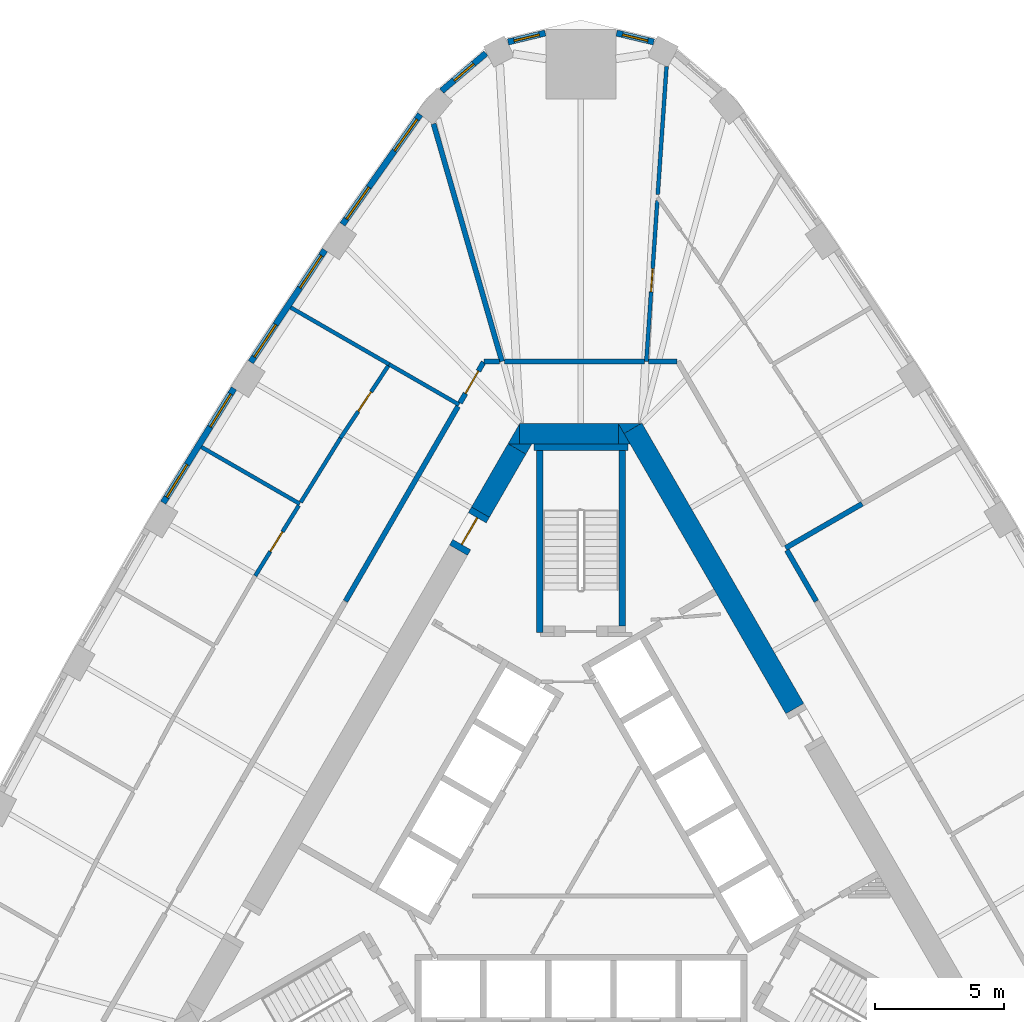
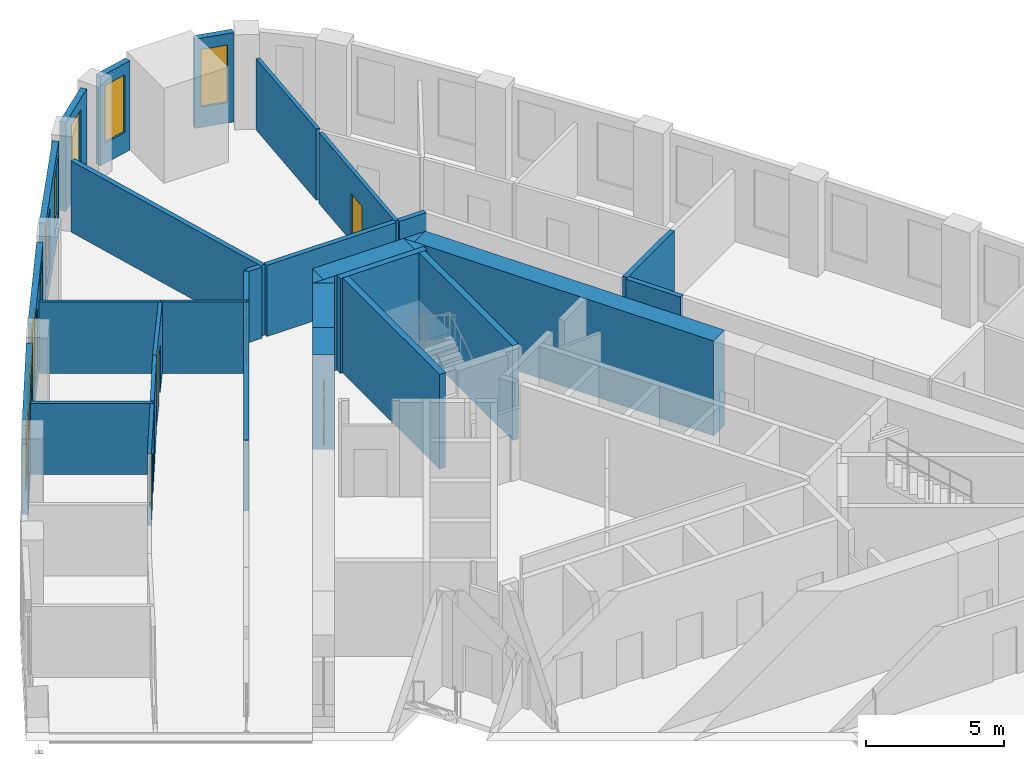
# One storey, part 9 of 11: 33 walls, 9 windows, 5 doors, 14 openings.
"""IFC4 building model written with IfcOpenShell, lengths in metres."""

import ifcopenshell
import ifcopenshell.guid

model = None  # the IFC model being written
_history = None  # IfcOwnerHistory: only IFC2X3 demands one
_inside = {}  # id of a spatial element -> (the spatial element, [elements in it])
_under = {}  # id of a project, library or spatial element -> (it, [spatial elements below it])
_declared = {}  # id of a project -> (the project, [libraries it declares])
_typed = {}  # id of a type object -> (the type object, [elements of that type])
_made_of = {}  # id of a material, layer set ... -> (it, [elements and type objects made of it])


def new_model(schema):
    """Start an empty IFC model of exactly this schema.

    Asked for "IFC4X3", IfcOpenShell would pick the latest addendum, in which some entities
    have other attributes; the version numbers below select the first issue.
    IFC2X3 requires an IfcOwnerHistory on every rooted entity: one is made here for all.
    """
    global model, _history
    if schema == "IFC4X3":
        model = ifcopenshell.file(schema_version=(4, 3, 0, 0))
    else:
        model = ifcopenshell.file(schema=schema)
    _inside.clear()
    _under.clear()
    _declared.clear()
    _typed.clear()
    _made_of.clear()
    _history = None
    if model.schema == "IFC2X3":
        org = make("IfcOrganization", Name="unknown")
        user = make(
            "IfcPersonAndOrganization",
            ThePerson=make("IfcPerson", FamilyName="unknown"),
            TheOrganization=org,
        )
        app = make(
            "IfcApplication",
            ApplicationDeveloper=org,
            Version="unknown",
            ApplicationFullName="unknown",
            ApplicationIdentifier="unknown",
        )
        _history = make(
            "IfcOwnerHistory",
            OwningUser=user,
            OwningApplication=app,
            ChangeAction="ADDED",
            CreationDate=0,
        )
    return model


def make(cls, **values):
    """One entity of the class cls with the attributes given. An attribute that is None is left unset."""
    return model.create_entity(
        cls, **{name: value for name, value in values.items() if value is not None}
    )


def rooted(cls, **values):
    """An entity with a GlobalId (a new one), such as an element, a storey or a relation."""
    return make(cls, GlobalId=ifcopenshell.guid.new(), OwnerHistory=_history, **values)


def si_unit(unit_type, name, prefix=None):
    """IfcSIUnit, for example si_unit("LENGTHUNIT", "METRE", prefix="MILLI")."""
    return make("IfcSIUnit", UnitType=unit_type, Prefix=prefix, Name=name)


def assignment(units):
    """IfcUnitAssignment: the units of a project."""
    return None if units is None else make("IfcUnitAssignment", Units=units)


def point(xyz):
    """IfcCartesianPoint."""
    return None if xyz is None else make("IfcCartesianPoint", Coordinates=xyz)


def direction(xyz):
    """IfcDirection."""
    return None if xyz is None else make("IfcDirection", DirectionRatios=xyz)


def frame(location, z_axis=None, x_axis=None):
    """IfcAxis2Placement3D, a coordinate frame: its origin and axes. An axis left out is left unset."""
    return make(
        "IfcAxis2Placement3D",
        Location=point(location),
        Axis=direction(z_axis),
        RefDirection=direction(x_axis),
    )


def frame_2d(location, x_axis=None):
    """IfcAxis2Placement2D, a coordinate frame in the plane: its origin and x axis."""
    return make(
        "IfcAxis2Placement2D", Location=point(location), RefDirection=direction(x_axis)
    )


def origin():
    """The frame at (0, 0, 0) with its axes left unset."""
    return frame((0.0, 0.0, 0.0))


def place(relative_to, where):
    """IfcLocalPlacement: puts the frame where relative to a parent placement (None: the world)."""
    return make(
        "IfcLocalPlacement", PlacementRelTo=relative_to, RelativePlacement=where
    )


def context(
    kind, dimensions, precision=None, world=None, true_north=None, identifier=None
):
    """IfcGeometricRepresentationContext, for example the 3D "Model" context."""
    return make(
        "IfcGeometricRepresentationContext",
        ContextIdentifier=identifier,
        ContextType=kind,
        CoordinateSpaceDimension=dimensions,
        Precision=precision,
        WorldCoordinateSystem=world,
        TrueNorth=true_north,
    )


def subcontext(parent, identifier, kind, view, scale=None):
    """IfcGeometricRepresentationSubContext, for example "Body" below "Model"."""
    return make(
        "IfcGeometricRepresentationSubContext",
        ContextIdentifier=identifier,
        ContextType=kind,
        ParentContext=parent,
        TargetScale=scale,
        TargetView=view,
    )


def project(units=None, contexts=None):
    """IfcProject with its units and contexts."""
    return rooted(
        "IfcProject",
        Name="project",
        RepresentationContexts=contexts,
        UnitsInContext=assignment(units),
    )


def spatial(cls, under=None, at=None, **own):
    """A site, building, storey or space (cls), placed at a placement, below another one or the project."""
    s = rooted(cls, ObjectPlacement=at, **own)
    if under is not None:
        _under.setdefault(under.id(), (under, []))[1].append(s)
    return s


def polyline(points):
    """IfcPolyline through the points."""
    return make("IfcPolyline", Points=[point(p) for p in points])


def profile(cls, at=None, kind="AREA", **sizes):
    """A parametric profile (cls). Its sizes go by their IFC names, for example OverallWidth=200.0."""
    return make(cls, ProfileType=kind, Position=at, **sizes)


def rectangle(**sizes):
    """IfcRectangleProfileDef."""
    return profile("IfcRectangleProfileDef", **sizes)


def outline(outer, holes=None, kind="AREA"):
    """IfcArbitraryClosedProfileDef: a profile drawn as a closed curve; with holes, ...WithVoids."""
    if holes is None:
        return make("IfcArbitraryClosedProfileDef", ProfileType=kind, OuterCurve=outer)
    return make(
        "IfcArbitraryProfileDefWithVoids",
        ProfileType=kind,
        OuterCurve=outer,
        InnerCurves=holes,
    )


def extrude(swept, where, along, depth):
    """IfcExtrudedAreaSolid: the profile swept, set in the frame where, extruded along a direction by depth."""
    return make(
        "IfcExtrudedAreaSolid",
        SweptArea=swept,
        Position=where,
        ExtrudedDirection=direction(along),
        Depth=depth,
    )


def shape(context_of_items, identifier, shape_type, items):
    """IfcShapeRepresentation: the items that make up one representation, for example the "Body"."""
    return make(
        "IfcShapeRepresentation",
        ContextOfItems=context_of_items,
        RepresentationIdentifier=identifier,
        RepresentationType=shape_type,
        Items=items,
    )


def material(Name=None, Category=None):
    """IfcMaterial."""
    return make("IfcMaterial", Name=Name, Category=Category)


def layer(
    of_material, thickness, ventilated=None, Name=None, Category=None, Priority=None
):
    """IfcMaterialLayer: one layer of a wall or slab, of a material (None: an air gap)."""
    return make(
        "IfcMaterialLayer",
        Material=of_material,
        LayerThickness=thickness,
        IsVentilated=ventilated,
        Name=Name,
        Category=Category,
        Priority=Priority,
    )


def layer_set(layers, Name=None):
    """IfcMaterialLayerSet."""
    return make("IfcMaterialLayerSet", MaterialLayers=layers, LayerSetName=Name)


def made_of(thing, what):
    """Note that an element or type object is made of a material, layer set ...; save() writes the relation."""
    if what is not None:
        _made_of.setdefault(what.id(), (what, []))[1].append(thing)
    return thing


def type_object(cls, material=None, **own):
    """A type object (cls), such as IfcWallType, which elements share."""
    return made_of(rooted(cls, **own), material)


def element(
    cls,
    number,
    at=None,
    inside=None,
    cuts=None,
    type_object=None,
    material=None,
    context=None,
    identifier="Body",
    shape_type=None,
    held_by="IfcProductDefinitionShape",
    body=None,
    shapes=None,
    **own,
):
    """One element of the class cls, such as IfcWall. Its Tag is "e" and its number.

    at: its placement. inside: the storey or other place that contains it. cuts: it is an
    opening in that element (IfcRelVoidsElement). A single representation is given by context,
    identifier, shape_type and body (its items); several are given by shapes. held_by: the class
    of the entity that holds the representations. save() writes the other relations.
    """
    e = rooted(cls, Tag="e%d" % number, ObjectPlacement=at, **own)
    if body is not None:
        shapes = [shape(context, identifier, shape_type, body)]
    if shapes is not None:
        e.Representation = make(held_by, Representations=shapes)
    if inside is not None:
        _inside.setdefault(inside.id(), (inside, []))[1].append(e)
    if cuts is not None:
        rooted(
            "IfcRelVoidsElement", RelatingBuildingElement=cuts, RelatedOpeningElement=e
        )
    if type_object is not None:
        _typed.setdefault(type_object.id(), (type_object, []))[1].append(e)
    return made_of(e, material)


def fill(opening, filler):
    """IfcRelFillsElement: the door or window that sits in an opening."""
    return rooted(
        "IfcRelFillsElement",
        RelatingOpeningElement=opening,
        RelatedBuildingElement=filler,
    )


def aggregate(whole, parts):
    """IfcRelAggregates: a whole, such as a stair, and the parts it consists of."""
    return rooted("IfcRelAggregates", RelatingObject=whole, RelatedObjects=parts)


def save(model, path):
    """Write the relations noted so far, then the file.

    IfcRelAggregates (storeys below a building ...), IfcRelContainedInSpatialStructure (elements
    in a storey), IfcRelDefinesByType, IfcRelAssociatesMaterial and IfcRelDeclares: one each for
    every whole, place, type object, material and project.
    """
    for whole, parts in _under.values():
        aggregate(whole, parts)
    for where, things in _inside.values():
        rooted(
            "IfcRelContainedInSpatialStructure",
            RelatedElements=things,
            RelatingStructure=where,
        )
    for kind, things in _typed.values():
        rooted("IfcRelDefinesByType", RelatedObjects=things, RelatingType=kind)
    for what, things in _made_of.values():
        rooted("IfcRelAssociatesMaterial", RelatedObjects=things, RelatingMaterial=what)
    for by, libraries in _declared.values():
        rooted("IfcRelDeclares", RelatingContext=by, RelatedDefinitions=libraries)
    model.write(path)


model = new_model("IFC4")

# Units and contexts
model_context = context("Model", 3, precision=1e-05, world=origin(), true_north=direction((0.0, 1.0)))
body_context = subcontext(model_context, "Body", "Model", "MODEL_VIEW")
ifc_project = project(units=[si_unit("LENGTHUNIT", "METRE"), si_unit("AREAUNIT", "SQUARE_METRE"), si_unit("VOLUMEUNIT", "CUBIC_METRE"), si_unit("PLANEANGLEUNIT", "RADIAN"), si_unit("MASSUNIT", "GRAM", prefix="KILO")], contexts=[model_context])

# Site, building, storey
site_placement = place(None, origin())
site = spatial("IfcSite", under=ifc_project, at=site_placement, CompositionType="ELEMENT")
building_placement = place(site_placement, origin())
building = spatial("IfcBuilding", under=site, at=building_placement, Name="Mestral Congress Tower", CompositionType="ELEMENT")
storey_placement = place(building_placement, frame((0.0, 0.0, 175.199951171875)))
storey = spatial("IfcBuildingStorey", under=building, at=storey_placement, Name="L41", CompositionType="ELEMENT", Elevation=175.199951171875)

# Walls
ifc_material_1 = material(Name="Concrete C60/75", Category="concrete")
ifc_layer_1 = layer(ifc_material_1, 0.800048828125)
ifc_layer_set_1 = layer_set([ifc_layer_1], Name="Concrete C60/75")
wall_type_1 = type_object("IfcWallType", Name="Core wall RC 800", PredefinedType="SOLIDWALL", material=ifc_layer_set_1)
wall_1_placement = place(storey_placement, frame((8.278564453125, 5.76123046875, 0.0), z_axis=(0.0, 0.0, 1.0), x_axis=(-0.500010359015, 0.866019422922, 0.0)))
element("IfcWall", 1, at=wall_1_placement, inside=storey, type_object=wall_type_1, Name="L41 core wall", PredefinedType="SOLIDWALL", context=body_context, shape_type="SweptSolid", body=[
    extrude(rectangle(XDim=12.527587890625, YDim=0.800048828125, at=frame_2d((6.263671875, 0.0))), origin(), (0.0, 0.0, 1.0), 4.199951171875),
])
placement = place(storey_placement, origin())
element("IfcWall", 2, at=placement, inside=storey, type_object=wall_type_1, Name="L41 core wall", PredefinedType="SOLIDWALL", context=body_context, shape_type="SweptSolid", body=[
    extrude(outline(polyline([(1.443359375, 16.800048828125), (2.33935546875, 16.800048828125), (1.667236328125, 16.412109375), (1.443359375, 16.800048828125)])), origin(), (0.0, 0.0, 1.0), 4.199951171875),
])
wall_3_placement = place(storey_placement, frame((-2.37890625, 16.39990234375, 0.0), z_axis=(0.0, 0.0, 1.0), x_axis=(1.0, 0.0, 0.0)))
element("IfcWall", 3, at=wall_3_placement, inside=storey, type_object=wall_type_1, Name="L41 core wall", PredefinedType="SOLIDWALL", context=body_context, shape_type="SweptSolid", body=[
    extrude(rectangle(XDim=3.82421875, YDim=0.800048828125, at=frame_2d((1.912109375, 0.0))), origin(), (0.0, 0.0, 1.0), 4.199951171875),
])
element("IfcWall", 4, at=placement, inside=storey, type_object=wall_type_1, Name="L41 core wall", PredefinedType="SOLIDWALL", context=body_context, shape_type="SweptSolid", body=[
    extrude(outline(polyline([(1.9052734375, 16.0), (1.447265625, 16.0), (1.447265625, 16.793212890625), (1.9052734375, 16.0)])), origin(), (0.0, 0.0, 1.0), 4.199951171875),
])
element("IfcWall", 5, at=placement, inside=storey, type_object=wall_type_1, Name="L41 core wall", PredefinedType="SOLIDWALL", context=body_context, shape_type="SweptSolid", body=[
    extrude(outline(polyline([(-2.8291015625, 16.0), (-2.381103515625, 16.77587890625), (-2.381103515625, 16.0), (-2.8291015625, 16.0)])), origin(), (0.0, 0.0, 1.0), 4.199951171875),
])
wall_6_placement = place(storey_placement, frame((-2.476806640625, 15.810302734375, 0.0), z_axis=(0.0, 0.0, 1.0), x_axis=(-0.499969377405, -0.866043083026, 0.0)))
element("IfcWall", 6, at=wall_6_placement, inside=storey, type_object=wall_type_1, Name="L41 core wall", PredefinedType="SOLIDWALL", context=body_context, shape_type="SweptSolid", body=[
    extrude(rectangle(XDim=2.824462890625, YDim=0.800048828125, at=frame_2d((1.412109375, 0.0))), origin(), (0.0, 0.0, 1.0), 4.199951171875),
])
element("IfcWall", 7, at=placement, inside=storey, type_object=wall_type_1, Name="L41 core wall", PredefinedType="SOLIDWALL", context=body_context, shape_type="SweptSolid", body=[
    extrude(outline(polyline([(-1.9052734375, 16.0), (-2.12939453125, 15.612060546875), (-2.80126953125, 16.0), (-1.9052734375, 16.0)])), origin(), (0.0, 0.0, 1.0), 4.199951171875),
])

# Wall, opening, door
wall_8_placement = place(storey_placement, frame((-4.739013671875, 11.89208984375, 0.0), z_axis=(0.0, 0.0, 1.0), x_axis=(0.500062241894, 0.865989465428, 0.0)))
wall_8 = element("IfcWall", 8, at=wall_8_placement, inside=storey, type_object=wall_type_1, Name="L41 door wall", PredefinedType="SOLIDWALL", context=body_context, shape_type="SweptSolid", body=[
    extrude(rectangle(XDim=1.699951171875, YDim=0.800048828125, at=frame_2d((0.85009765625, 0.0))), origin(), (0.0, 0.0, 1.0), 4.199951171875),
])
opening_1_placement = place(wall_8_placement, frame((0.25, 0.0, 0.0)))
opening_1 = element("IfcOpeningElement", 9, at=opening_1_placement, cuts=wall_8, Name="Opening XD2", PredefinedType="OPENING", context=body_context, shape_type="SweptSolid", body=[
    extrude(rectangle(XDim=1.199951171875, YDim=2.10009765625, at=frame_2d((0.60009765625, 1.050048828125))), frame((0.0, 0.409912109375, 0.0), z_axis=(0.0, -1.0, 0.0), x_axis=(1.0, 0.0, 0.0)), (0.0, 0.0, 1.0), 0.820068359375),
])
ifc_material_2 = material(Name="Fire-rated steel door set", Category="steel")
door_type_1 = type_object("IfcDoorType", Name="Core door XD 1200x2100", OperationType="SINGLE_SWING_LEFT", PredefinedType="DOOR", material=ifc_material_2)
door_1_placement = place(opening_1_placement, origin())
door_1 = element("IfcDoor", 10, at=door_1_placement, inside=storey, type_object=door_type_1, Name="Door XD2", OperationType="SINGLE_SWING_LEFT", OverallHeight=2.10009765625, OverallWidth=1.199951171875, PredefinedType="DOOR", context=body_context, shape_type="SweptSolid", body=[
    extrude(rectangle(XDim=1.199951171875, YDim=2.10009765625, at=frame_2d((0.60009765625, 1.050048828125))), frame((0.0, 0.02490234375, 0.0), z_axis=(0.0, -1.0, 0.0), x_axis=(1.0, 0.0, 0.0)), (0.0, 0.0, 1.0), 0.050048828125),
])
fill(opening_1, door_1)

# Wall, opening, window
ifc_material_3 = material(Name="Precast concrete C40/50 with limestone facing", Category="masonry")
ifc_layer_2 = layer(ifc_material_3, 0.239990234375)
ifc_layer_set_2 = layer_set([ifc_layer_2], Name="Precast concrete C40/50 with limestone facing")
wall_type_2 = type_object("IfcWallType", Name="Facade stone wall 240", PredefinedType="SOLIDWALL", material=ifc_layer_set_2)
wall_9_placement = place(storey_placement, frame((2.821044921875, 31.56640625, 0.0), z_axis=(0.0, 0.0, 1.0), x_axis=(-0.972479955788, 0.232986556673, 0.0)))
wall_9 = element("IfcWall", 11, at=wall_9_placement, inside=storey, type_object=wall_type_2, Name="Facade wall K1-1", PredefinedType="SOLIDWALL", context=body_context, shape_type="SweptSolid", body=[
    extrude(rectangle(XDim=1.481689453125, YDim=0.239990234375, at=frame_2d((0.74072265625, 0.0))), origin(), (0.0, 0.0, 1.0), 3.949951171875),
])
opening_2_placement = place(wall_9_placement, frame((0.24072265625, 0.0, 0.89990234375)))
opening_2 = element("IfcOpeningElement", 12, at=opening_2_placement, cuts=wall_9, Name="Opening W5", PredefinedType="OPENING", context=body_context, shape_type="SweptSolid", body=[
    extrude(rectangle(XDim=1.0, YDim=2.550048828125, at=frame_2d((0.5, 1.27490234375))), frame((0.0, 0.1298828125, 0.0), z_axis=(0.0, -1.0, 0.0), x_axis=(1.0, 0.0, 0.0)), (0.0, 0.0, 1.0), 0.260009765625),
])
ifc_material_4 = material(Name="Clear low-emissivity double glazing", Category="glass")
window_type_1 = type_object("IfcWindowType", Name="Facade punched window 1000 x 2550 sill 900", PartitioningType="SINGLE_PANEL", PredefinedType="WINDOW", material=ifc_material_4)
window_1_placement = place(opening_2_placement, origin())
window_1 = element("IfcWindow", 13, at=window_1_placement, inside=storey, type_object=window_type_1, Name="Window K1-1", OverallHeight=2.550048828125, OverallWidth=1.0, PartitioningType="SINGLE_PANEL", PredefinedType="WINDOW", context=body_context, shape_type="SweptSolid", body=[
    extrude(rectangle(XDim=1.0, YDim=2.550048828125, at=frame_2d((0.5, 1.27490234375))), frame((0.0, 0.0400390625, 0.0), z_axis=(0.0, -1.0, 0.0), x_axis=(1.0, 0.0, 0.0)), (0.0, 0.0, 1.0), 0.06005859375),
])
fill(opening_2, window_1)

wall_10_placement = place(storey_placement, frame((-1.380126953125, 31.91162109375, 0.0), z_axis=(0.0, 0.0, 1.0), x_axis=(-0.972479955788, -0.232986556673, 0.0)))
wall_10 = element("IfcWall", 14, at=wall_10_placement, inside=storey, type_object=wall_type_2, Name="Facade wall K1-2", PredefinedType="SOLIDWALL", context=body_context, shape_type="SweptSolid", body=[
    extrude(rectangle(XDim=1.481689453125, YDim=0.239990234375, at=frame_2d((0.74072265625, 0.0))), origin(), (0.0, 0.0, 1.0), 3.949951171875),
])
opening_3_placement = place(wall_10_placement, frame((0.24072265625, 0.0, 0.89990234375)))
opening_3 = element("IfcOpeningElement", 15, at=opening_3_placement, cuts=wall_10, Name="Opening W5", PredefinedType="OPENING", context=body_context, shape_type="SweptSolid", body=[
    extrude(rectangle(XDim=1.0, YDim=2.550048828125, at=frame_2d((0.5, 1.27490234375))), frame((0.0, 0.1298828125, 0.0), z_axis=(0.0, -1.0, 0.0), x_axis=(1.0, 0.0, 0.0)), (0.0, 0.0, 1.0), 0.260009765625),
])
window_2_placement = place(opening_3_placement, origin())
window_2 = element("IfcWindow", 16, at=window_2_placement, inside=storey, type_object=window_type_1, Name="Window K1-2", OverallHeight=2.550048828125, OverallWidth=1.0, PartitioningType="SINGLE_PANEL", PredefinedType="WINDOW", context=body_context, shape_type="SweptSolid", body=[
    extrude(rectangle(XDim=1.0, YDim=2.550048828125, at=frame_2d((0.5, 1.27490234375))), frame((0.0, 0.0400390625, 0.0), z_axis=(0.0, -1.0, 0.0), x_axis=(1.0, 0.0, 0.0)), (0.0, 0.0, 1.0), 0.06005859375),
])
fill(opening_3, window_2)

wall_11_placement = place(storey_placement, frame((-3.67822265625, 31.130859375, 0.0), z_axis=(0.0, 0.0, 1.0), x_axis=(-0.761419744247, -0.648259186645, 0.0)))
wall_11 = element("IfcWall", 17, at=wall_11_placement, inside=storey, type_object=wall_type_2, Name="Facade wall K1-3", PredefinedType="SOLIDWALL", context=body_context, shape_type="SweptSolid", body=[
    extrude(rectangle(XDim=2.250244140625, YDim=0.239990234375, at=frame_2d((1.125, 0.0))), origin(), (0.0, 0.0, 1.0), 3.949951171875),
])
opening_4_placement = place(wall_11_placement, frame((0.625244140625, 0.0, 0.89990234375)))
opening_4 = element("IfcOpeningElement", 18, at=opening_4_placement, cuts=wall_11, Name="Opening W5", PredefinedType="OPENING", context=body_context, shape_type="SweptSolid", body=[
    extrude(rectangle(XDim=1.0, YDim=2.550048828125, at=frame_2d((0.5, 1.27490234375))), frame((0.0, 0.1298828125, 0.0), z_axis=(0.0, -1.0, 0.0), x_axis=(1.0, 0.0, 0.0)), (0.0, 0.0, 1.0), 0.260009765625),
])
window_3_placement = place(opening_4_placement, origin())
window_3 = element("IfcWindow", 19, at=window_3_placement, inside=storey, type_object=window_type_1, Name="Window K1-3", OverallHeight=2.550048828125, OverallWidth=1.0, PartitioningType="SINGLE_PANEL", PredefinedType="WINDOW", context=body_context, shape_type="SweptSolid", body=[
    extrude(rectangle(XDim=1.0, YDim=2.550048828125, at=frame_2d((0.5, 1.27490234375))), frame((0.0, 0.0400390625, 0.0), z_axis=(0.0, -1.0, 0.0), x_axis=(1.0, 0.0, 0.0)), (0.0, 0.0, 1.0), 0.06005859375),
])
fill(opening_4, window_3)

# Wall, openings, windows
wall_12_placement = place(storey_placement, frame((-6.22265625, 28.76171875, 0.0), z_axis=(0.0, 0.0, 1.0), x_axis=(-0.577115207679, -0.816662743772, 0.0)))
wall_12 = element("IfcWall", 20, at=wall_12_placement, inside=storey, type_object=wall_type_2, Name="Facade wall F2-00", PredefinedType="SOLIDWALL", context=body_context, shape_type="SweptSolid", body=[
    extrude(rectangle(XDim=5.213134765625, YDim=0.239990234375, at=frame_2d((2.6064453125, 0.0))), origin(), (0.0, 0.0, 1.0), 3.949951171875),
])
opening_5_placement = place(wall_12_placement, frame((0.220703125, 0.0, 0.89990234375)))
opening_5 = element("IfcOpeningElement", 21, at=opening_5_placement, cuts=wall_12, Name="Opening W4", PredefinedType="OPENING", context=body_context, shape_type="SweptSolid", body=[
    extrude(rectangle(XDim=1.5, YDim=2.550048828125, at=frame_2d((0.75, 1.27490234375))), frame((0.0, 0.1298828125, 0.0), z_axis=(0.0, -1.0, 0.0), x_axis=(1.0, 0.0, 0.0)), (0.0, 0.0, 1.0), 0.260009765625),
])
opening_6_placement = place(wall_12_placement, frame((3.452392578125, 0.0, 0.89990234375)))
opening_6 = element("IfcOpeningElement", 22, at=opening_6_placement, cuts=wall_12, Name="Opening W4", PredefinedType="OPENING", context=body_context, shape_type="SweptSolid", body=[
    extrude(rectangle(XDim=1.5, YDim=2.550048828125, at=frame_2d((0.75, 1.27490234375))), frame((0.0, 0.1298828125, 0.0), z_axis=(0.0, -1.0, 0.0), x_axis=(1.0, 0.0, 0.0)), (0.0, 0.0, 1.0), 0.260009765625),
])
window_type_2 = type_object("IfcWindowType", Name="Facade punched window 1500 x 2550 sill 900", PartitioningType="SINGLE_PANEL", PredefinedType="WINDOW", material=ifc_material_4)
window_4_placement = place(opening_5_placement, origin())
window_4 = element("IfcWindow", 23, at=window_4_placement, inside=storey, type_object=window_type_2, Name="Window F2-00a", OverallHeight=2.550048828125, OverallWidth=1.5, PartitioningType="SINGLE_PANEL", PredefinedType="WINDOW", context=body_context, shape_type="SweptSolid", body=[
    extrude(rectangle(XDim=1.5, YDim=2.550048828125, at=frame_2d((0.75, 1.27490234375))), frame((0.0, 0.0400390625, 0.0), z_axis=(0.0, -1.0, 0.0), x_axis=(1.0, 0.0, 0.0)), (0.0, 0.0, 1.0), 0.06005859375),
])
fill(opening_5, window_4)
window_5_placement = place(opening_6_placement, origin())
window_5 = element("IfcWindow", 24, at=window_5_placement, inside=storey, type_object=window_type_2, Name="Window F2-00b", OverallHeight=2.550048828125, OverallWidth=1.5, PartitioningType="SINGLE_PANEL", PredefinedType="WINDOW", context=body_context, shape_type="SweptSolid", body=[
    extrude(rectangle(XDim=1.5, YDim=2.550048828125, at=frame_2d((0.75, 1.27490234375))), frame((0.0, 0.0400390625, 0.0), z_axis=(0.0, -1.0, 0.0), x_axis=(1.0, 0.0, 0.0)), (0.0, 0.0, 1.0), 0.06005859375),
])
fill(opening_6, window_5)

wall_13_placement = place(storey_placement, frame((-9.911376953125, 23.510009765625, 0.0), z_axis=(0.0, 0.0, 1.0), x_axis=(-0.551892811511, -0.833915058386, 0.0)))
wall_13 = element("IfcWall", 25, at=wall_13_placement, inside=storey, type_object=wall_type_2, Name="Facade wall F2-01", PredefinedType="SOLIDWALL", context=body_context, shape_type="SweptSolid", body=[
    extrude(rectangle(XDim=5.20361328125, YDim=0.239990234375, at=frame_2d((2.601806640625, 0.0))), origin(), (0.0, 0.0, 1.0), 3.949951171875),
])
opening_7_placement = place(wall_13_placement, frame((0.248291015625, 0.0, 0.89990234375)))
opening_7 = element("IfcOpeningElement", 26, at=opening_7_placement, cuts=wall_13, Name="Opening W4", PredefinedType="OPENING", context=body_context, shape_type="SweptSolid", body=[
    extrude(rectangle(XDim=1.5, YDim=2.550048828125, at=frame_2d((0.75, 1.27490234375))), frame((0.0, 0.1298828125, 0.0), z_axis=(0.0, -1.0, 0.0), x_axis=(1.0, 0.0, 0.0)), (0.0, 0.0, 1.0), 0.260009765625),
])
opening_8_placement = place(wall_13_placement, frame((3.455078125, 0.0, 0.89990234375)))
opening_8 = element("IfcOpeningElement", 27, at=opening_8_placement, cuts=wall_13, Name="Opening W4", PredefinedType="OPENING", context=body_context, shape_type="SweptSolid", body=[
    extrude(rectangle(XDim=1.5, YDim=2.550048828125, at=frame_2d((0.75, 1.27490234375))), frame((0.0, 0.1298828125, 0.0), z_axis=(0.0, -1.0, 0.0), x_axis=(1.0, 0.0, 0.0)), (0.0, 0.0, 1.0), 0.260009765625),
])
window_6_placement = place(opening_7_placement, origin())
window_6 = element("IfcWindow", 28, at=window_6_placement, inside=storey, type_object=window_type_2, Name="Window F2-01a", OverallHeight=2.550048828125, OverallWidth=1.5, PartitioningType="SINGLE_PANEL", PredefinedType="WINDOW", context=body_context, shape_type="SweptSolid", body=[
    extrude(rectangle(XDim=1.5, YDim=2.550048828125, at=frame_2d((0.75, 1.27490234375))), frame((0.0, 0.0400390625, 0.0), z_axis=(0.0, -1.0, 0.0), x_axis=(1.0, 0.0, 0.0)), (0.0, 0.0, 1.0), 0.06005859375),
])
fill(opening_7, window_6)
window_7_placement = place(opening_8_placement, origin())
window_7 = element("IfcWindow", 29, at=window_7_placement, inside=storey, type_object=window_type_2, Name="Window F2-01b", OverallHeight=2.550048828125, OverallWidth=1.5, PartitioningType="SINGLE_PANEL", PredefinedType="WINDOW", context=body_context, shape_type="SweptSolid", body=[
    extrude(rectangle(XDim=1.5, YDim=2.550048828125, at=frame_2d((0.75, 1.27490234375))), frame((0.0, 0.0400390625, 0.0), z_axis=(0.0, -1.0, 0.0), x_axis=(1.0, 0.0, 0.0)), (0.0, 0.0, 1.0), 0.06005859375),
])
fill(opening_8, window_7)

wall_14_placement = place(storey_placement, frame((-13.4326171875, 18.156005859375, 0.0), z_axis=(0.0, 0.0, 1.0), x_axis=(-0.526197926587, -0.850362124072, 0.0)))
wall_14 = element("IfcWall", 30, at=wall_14_placement, inside=storey, type_object=wall_type_2, Name="Facade wall F2-02", PredefinedType="SOLIDWALL", context=body_context, shape_type="SweptSolid", body=[
    extrude(rectangle(XDim=5.203369140625, YDim=0.239990234375, at=frame_2d((2.6015625, 0.0))), origin(), (0.0, 0.0, 1.0), 3.949951171875),
])
opening_9_placement = place(wall_14_placement, frame((0.248291015625, 0.0, 0.89990234375)))
opening_9 = element("IfcOpeningElement", 31, at=opening_9_placement, cuts=wall_14, Name="Opening W4", PredefinedType="OPENING", context=body_context, shape_type="SweptSolid", body=[
    extrude(rectangle(XDim=1.5, YDim=2.550048828125, at=frame_2d((0.75, 1.27490234375))), frame((0.0, 0.1298828125, 0.0), z_axis=(0.0, -1.0, 0.0), x_axis=(1.0, 0.0, 0.0)), (0.0, 0.0, 1.0), 0.260009765625),
])
opening_10_placement = place(wall_14_placement, frame((3.455078125, 0.0, 0.89990234375)))
opening_10 = element("IfcOpeningElement", 32, at=opening_10_placement, cuts=wall_14, Name="Opening W4", PredefinedType="OPENING", context=body_context, shape_type="SweptSolid", body=[
    extrude(rectangle(XDim=1.5, YDim=2.550048828125, at=frame_2d((0.75, 1.27490234375))), frame((0.0, 0.1298828125, 0.0), z_axis=(0.0, -1.0, 0.0), x_axis=(1.0, 0.0, 0.0)), (0.0, 0.0, 1.0), 0.260009765625),
])
window_8_placement = place(opening_9_placement, origin())
window_8 = element("IfcWindow", 33, at=window_8_placement, inside=storey, type_object=window_type_2, Name="Window F2-02a", OverallHeight=2.550048828125, OverallWidth=1.5, PartitioningType="SINGLE_PANEL", PredefinedType="WINDOW", context=body_context, shape_type="SweptSolid", body=[
    extrude(rectangle(XDim=1.5, YDim=2.550048828125, at=frame_2d((0.75, 1.27490234375))), frame((0.0, 0.0400390625, 0.0), z_axis=(0.0, -1.0, 0.0), x_axis=(1.0, 0.0, 0.0)), (0.0, 0.0, 1.0), 0.06005859375),
])
fill(opening_9, window_8)
window_9_placement = place(opening_10_placement, origin())
window_9 = element("IfcWindow", 34, at=window_9_placement, inside=storey, type_object=window_type_2, Name="Window F2-02b", OverallHeight=2.550048828125, OverallWidth=1.5, PartitioningType="SINGLE_PANEL", PredefinedType="WINDOW", context=body_context, shape_type="SweptSolid", body=[
    extrude(rectangle(XDim=1.5, YDim=2.550048828125, at=frame_2d((0.75, 1.27490234375))), frame((0.0, 0.0400390625, 0.0), z_axis=(0.0, -1.0, 0.0), x_axis=(1.0, 0.0, 0.0)), (0.0, 0.0, 1.0), 0.06005859375),
])
fill(opening_10, window_9)

# Wall
ifc_material_5 = material(Name="Plasterboard partition on steel studs", Category="steel")
ifc_layer_3 = layer(ifc_material_5, 0.14990234375)
ifc_layer_set_3 = layer_set([ifc_layer_3], Name="Plasterboard partition on steel studs")
wall_type_3 = type_object("IfcWallType", Name="Office partition 150", PredefinedType="PARTITIONING", material=ifc_layer_set_3)
wall_15_placement = place(storey_placement, frame((2.9736328125, 25.6572265625, 0.0), z_axis=(0.0, 0.0, 1.0), x_axis=(0.068301586051, 0.997664719905, 0.0)))
element("IfcWall", 35, at=wall_15_placement, inside=storey, type_object=wall_type_3, Name="Partition", PredefinedType="PARTITIONING", context=body_context, shape_type="SweptSolid", body=[
    extrude(rectangle(XDim=4.97216796875, YDim=0.14990234375, at=frame_2d((2.486083984375, 0.0))), origin(), (0.0, 0.0, 1.0), 3.150146484375),
])

# Wall, opening, door
wall_16_placement = place(storey_placement, frame((2.531494140625, 19.199951171875, 0.0), z_axis=(0.0, 0.0, 1.0), x_axis=(0.06832771358, 0.997662930832, 0.0)))
wall_16 = element("IfcWall", 36, at=wall_16_placement, inside=storey, type_object=wall_type_3, Name="Partition", PredefinedType="PARTITIONING", context=body_context, shape_type="SweptSolid", body=[
    extrude(rectangle(XDim=6.235107421875, YDim=0.14990234375, at=frame_2d((3.11767578125, 0.0))), origin(), (0.0, 0.0, 1.0), 3.150146484375),
])
opening_11_placement = place(wall_16_placement, frame((2.699951171875, 0.0, 0.0)))
opening_11 = element("IfcOpeningElement", 37, at=opening_11_placement, cuts=wall_16, Name="Opening O03-013", PredefinedType="OPENING", context=body_context, shape_type="SweptSolid", body=[
    extrude(rectangle(XDim=0.89990234375, YDim=2.10009765625, at=frame_2d((0.449951171875, 1.050048828125))), frame((0.0, 0.0849609375, 0.0), z_axis=(0.0, -1.0, 0.0), x_axis=(1.0, 0.0, 0.0)), (0.0, 0.0, 1.0), 0.169921875),
])
ifc_material_6 = material(Name="Timber door set", Category="wood")
door_type_2 = type_object("IfcDoorType", Name="Office door 900x2100", OperationType="SINGLE_SWING_LEFT", PredefinedType="DOOR", material=ifc_material_6)
door_2_placement = place(opening_11_placement, origin())
door_2 = element("IfcDoor", 38, at=door_2_placement, inside=storey, type_object=door_type_2, Name="Door O03-013", OperationType="SINGLE_SWING_RIGHT", OverallHeight=2.10009765625, OverallWidth=0.89990234375, PredefinedType="DOOR", context=body_context, shape_type="SweptSolid", body=[
    extrude(rectangle(XDim=0.89990234375, YDim=2.10009765625, at=frame_2d((0.449951171875, 1.050048828125))), frame((0.0, 0.02490234375, 0.0), z_axis=(0.0, -1.0, 0.0), x_axis=(1.0, 0.0, 0.0)), (0.0, 0.0, 1.0), 0.050048828125),
])
fill(opening_11, door_2)

# Walls
wall_17_placement = place(storey_placement, frame((-7.416259765625, 19.082763671875, 0.0), z_axis=(0.0, 0.0, 1.0), x_axis=(-0.866028016946, 0.499995473844, 0.0)))
element("IfcWall", 39, at=wall_17_placement, inside=storey, type_object=wall_type_3, Name="Partition", PredefinedType="PARTITIONING", context=body_context, shape_type="SweptSolid", body=[
    extrude(rectangle(XDim=4.412109375, YDim=0.14990234375, at=frame_2d((2.2060546875, 0.0))), origin(), (0.0, 0.0, 1.0), 3.150146484375),
])
wall_18_placement = place(storey_placement, frame((-4.719482421875, 17.525634765625, 0.0), z_axis=(0.0, 0.0, 1.0), x_axis=(-0.866011075544, 0.500024816419, 0.0)))
element("IfcWall", 40, at=wall_18_placement, inside=storey, type_object=wall_type_3, Name="Partition", PredefinedType="PARTITIONING", context=body_context, shape_type="SweptSolid", body=[
    extrude(rectangle(XDim=3.121826171875, YDim=0.14990234375, at=frame_2d((1.56103515625, 0.0))), origin(), (0.0, 0.0, 1.0), 3.150146484375),
])
wall_19_placement = place(storey_placement, frame((-10.882568359375, 13.68701171875, 0.0), z_axis=(0.0, 0.0, 1.0), x_axis=(-0.866033195618, 0.499986503906, 0.0)))
element("IfcWall", 41, at=wall_19_placement, inside=storey, type_object=wall_type_3, Name="Partition", PredefinedType="PARTITIONING", context=body_context, shape_type="SweptSolid", body=[
    extrude(rectangle(XDim=4.40185546875, YDim=0.14990234375, at=frame_2d((2.200927734375, 0.0))), origin(), (0.0, 0.0, 1.0), 3.150146484375),
])

# Wall, opening, door
wall_20_placement = place(storey_placement, frame((-9.308349609375, 16.231201171875, 0.0), z_axis=(0.0, 0.0, 1.0), x_axis=(0.551902709159, 0.833908507945, 0.0)))
wall_20 = element("IfcWall", 42, at=wall_20_placement, inside=storey, type_object=wall_type_3, Name="Partition", PredefinedType="PARTITIONING", context=body_context, shape_type="SweptSolid", body=[
    extrude(rectangle(XDim=3.346923828125, YDim=0.14990234375, at=frame_2d((1.67333984375, 0.0))), origin(), (0.0, 0.0, 1.0), 3.150146484375),
])
opening_12_placement = place(wall_20_placement, frame((1.24658203125, 0.0, 0.0)))
opening_12 = element("IfcOpeningElement", 43, at=opening_12_placement, cuts=wall_20, Name="Opening O03-015", PredefinedType="OPENING", context=body_context, shape_type="SweptSolid", body=[
    extrude(rectangle(XDim=0.89990234375, YDim=2.10009765625, at=frame_2d((0.449951171875, 1.050048828125))), frame((0.0, 0.0849609375, 0.0), z_axis=(0.0, -1.0, 0.0), x_axis=(1.0, 0.0, 0.0)), (0.0, 0.0, 1.0), 0.169921875),
])
door_3_placement = place(opening_12_placement, origin())
door_3 = element("IfcDoor", 44, at=door_3_placement, inside=storey, type_object=door_type_2, Name="Door O03-015", OperationType="SINGLE_SWING_RIGHT", OverallHeight=2.10009765625, OverallWidth=0.89990234375, PredefinedType="DOOR", context=body_context, shape_type="SweptSolid", body=[
    extrude(rectangle(XDim=0.89990234375, YDim=2.10009765625, at=frame_2d((0.449951171875, 1.050048828125))), frame((0.0, 0.02490234375, 0.0), z_axis=(0.0, -1.0, 0.0), x_axis=(1.0, 0.0, 0.0)), (0.0, 0.0, 1.0), 0.050048828125),
])
fill(opening_12, door_3)

# Wall
wall_21_placement = place(storey_placement, frame((-9.308349609375, 16.231201171875, 0.0), z_axis=(0.0, 0.0, 1.0), x_axis=(-0.526201893736, -0.850359669216, 0.0)))
element("IfcWall", 45, at=wall_21_placement, inside=storey, type_object=wall_type_3, Name="Partition", PredefinedType="PARTITIONING", context=body_context, shape_type="SweptSolid", body=[
    extrude(rectangle(XDim=2.9169921875, YDim=0.14990234375, at=frame_2d((1.45849609375, 0.0))), origin(), (0.0, 0.0, 1.0), 3.150146484375),
])

# Wall, opening, door
wall_22_placement = place(storey_placement, frame((-12.607666015625, 10.899169921875, 0.0), z_axis=(0.0, 0.0, 1.0), x_axis=(0.526170942761, 0.850378820876, 0.0)))
wall_22 = element("IfcWall", 46, at=wall_22_placement, inside=storey, type_object=wall_type_3, Name="Partition", PredefinedType="PARTITIONING", context=body_context, shape_type="SweptSolid", body=[
    extrude(rectangle(XDim=3.203369140625, YDim=0.14990234375, at=frame_2d((1.6015625, 0.0))), origin(), (0.0, 0.0, 1.0), 3.150146484375),
])
opening_13_placement = place(wall_22_placement, frame((1.103271484375, 0.0, 0.0)))
opening_13 = element("IfcOpeningElement", 47, at=opening_13_placement, cuts=wall_22, Name="Opening O03-016", PredefinedType="OPENING", context=body_context, shape_type="SweptSolid", body=[
    extrude(rectangle(XDim=0.89990234375, YDim=2.10009765625, at=frame_2d((0.449951171875, 1.050048828125))), frame((0.0, 0.0849609375, 0.0), z_axis=(0.0, -1.0, 0.0), x_axis=(1.0, 0.0, 0.0)), (0.0, 0.0, 1.0), 0.169921875),
])
door_4_placement = place(opening_13_placement, origin())
door_4 = element("IfcDoor", 48, at=door_4_placement, inside=storey, type_object=door_type_2, Name="Door O03-016", OperationType="SINGLE_SWING_LEFT", OverallHeight=2.10009765625, OverallWidth=0.89990234375, PredefinedType="DOOR", context=body_context, shape_type="SweptSolid", body=[
    extrude(rectangle(XDim=0.89990234375, YDim=2.10009765625, at=frame_2d((0.449951171875, 1.050048828125))), frame((0.0, 0.02490234375, 0.0), z_axis=(0.0, -1.0, 0.0), x_axis=(1.0, 0.0, 0.0)), (0.0, 0.0, 1.0), 0.050048828125),
])
fill(opening_13, door_4)

# Walls
ifc_material_7 = material(Name="Dense masonry wall, plastered", Category="masonry")
ifc_layer_4 = layer(ifc_material_7, 0.199951171875)
ifc_layer_set_4 = layer_set([ifc_layer_4], Name="Dense masonry wall, plastered")
wall_type_4 = type_object("IfcWallType", Name="Office tenancy wall 200", PredefinedType="PARTITIONING", material=ifc_layer_set_4)
wall_23_placement = place(storey_placement, frame((7.92236328125, 11.977783203125, 0.0), z_axis=(0.0, 0.0, 1.0), x_axis=(0.866008564848, 0.50002916476, 0.0)))
element("IfcWall", 49, at=wall_23_placement, inside=storey, type_object=wall_type_4, Name="Tenancy wall", PredefinedType="PARTITIONING", context=body_context, shape_type="SweptSolid", body=[
    extrude(rectangle(XDim=3.422119140625, YDim=0.199951171875, at=frame_2d((1.7109375, 0.0))), origin(), (0.0, 0.0, 1.0), 3.150146484375),
])
wall_24_placement = place(storey_placement, frame((9.111328125, 9.91845703125, 0.0), z_axis=(0.0, 0.0, 1.0), x_axis=(-0.499954382462, 0.86605173948, 0.0)))
element("IfcWall", 50, at=wall_24_placement, inside=storey, type_object=wall_type_4, Name="Tenancy wall", PredefinedType="PARTITIONING", context=body_context, shape_type="SweptSolid", body=[
    extrude(rectangle(XDim=2.278076171875, YDim=0.199951171875, at=frame_2d((1.13916015625, 0.0))), origin(), (0.0, 0.0, 1.0), 3.150146484375),
])
wall_25_placement = place(storey_placement, frame((3.722900390625, 19.199951171875, 0.0), z_axis=(0.0, 0.0, 1.0), x_axis=(-1.0, 0.0, 0.0)))
element("IfcWall", 51, at=wall_25_placement, inside=storey, type_object=wall_type_4, Name="Tenancy wall", PredefinedType="PARTITIONING", context=body_context, shape_type="SweptSolid", body=[
    extrude(rectangle(XDim=1.1162109375, YDim=0.199951171875, at=frame_2d((0.55810546875, 0.0))), origin(), (0.0, 0.0, 1.0), 3.150146484375),
])
wall_26_placement = place(storey_placement, frame((-3.057861328125, 19.199951171875, 0.0), z_axis=(0.0, 0.0, 1.0), x_axis=(-0.276542988003, 0.961001548275, 0.0)))
element("IfcWall", 52, at=wall_26_placement, inside=storey, type_object=wall_type_4, Name="Tenancy wall", PredefinedType="PARTITIONING", context=body_context, shape_type="SweptSolid", body=[
    extrude(rectangle(XDim=9.572509765625, YDim=0.199951171875, at=frame_2d((4.7861328125, 0.0))), origin(), (0.0, 0.0, 1.0), 3.150146484375),
])
wall_27_placement = place(storey_placement, frame((2.456298828125, 19.199951171875, 0.0), z_axis=(0.0, 0.0, 1.0), x_axis=(-1.0, 0.0, 0.0)))
element("IfcWall", 53, at=wall_27_placement, inside=storey, type_object=wall_type_4, Name="Tenancy wall", PredefinedType="PARTITIONING", context=body_context, shape_type="SweptSolid", body=[
    extrude(rectangle(XDim=5.409912109375, YDim=0.199951171875, at=frame_2d((2.705078125, 0.0))), origin(), (0.0, 0.0, 1.0), 3.150146484375),
])
wall_28_placement = place(storey_placement, frame((-3.161865234375, 19.199951171875, 0.0), z_axis=(0.0, 0.0, 1.0), x_axis=(-1.0, 0.0, 0.0)))
element("IfcWall", 54, at=wall_28_placement, inside=storey, type_object=wall_type_4, Name="Tenancy wall", PredefinedType="PARTITIONING", context=body_context, shape_type="SweptSolid", body=[
    extrude(rectangle(XDim=0.5908203125, YDim=0.199951171875, at=frame_2d((0.29541015625, 0.0))), origin(), (0.0, 0.0, 1.0), 3.150146484375),
])

# Wall, opening, door
wall_29_placement = place(storey_placement, frame((-3.767822265625, 19.174072265625, 0.0), z_axis=(0.0, 0.0, 1.0), x_axis=(-0.499930512259, -0.866065518833, 0.0)))
wall_29 = element("IfcWall", 55, at=wall_29_placement, inside=storey, type_object=wall_type_4, Name="Tenancy wall", PredefinedType="PARTITIONING", context=body_context, shape_type="SweptSolid", body=[
    extrude(rectangle(XDim=1.828369140625, YDim=0.199951171875, at=frame_2d((0.9140625, 0.0))), origin(), (0.0, 0.0, 1.0), 3.150146484375),
])
opening_14_placement = place(wall_29_placement, frame((0.39990234375, 0.0, 0.0)))
opening_14 = element("IfcOpeningElement", 56, at=opening_14_placement, cuts=wall_29, Name="Opening O03-014", PredefinedType="OPENING", context=body_context, shape_type="SweptSolid", body=[
    extrude(rectangle(XDim=1.0, YDim=2.10009765625, at=frame_2d((0.5, 1.050048828125))), frame((0.0, 0.10986328125, 0.0), z_axis=(0.0, -1.0, 0.0), x_axis=(1.0, 0.0, 0.0)), (0.0, 0.0, 1.0), 0.219970703125),
])
ifc_material_8 = material(Name="Fire-rated timber door set", Category="wood")
door_type_3 = type_object("IfcDoorType", Name="Office tenancy entrance door 1000x2100", OperationType="SINGLE_SWING_LEFT", PredefinedType="DOOR", material=ifc_material_8)
door_5_placement = place(opening_14_placement, origin())
door_5 = element("IfcDoor", 57, at=door_5_placement, inside=storey, type_object=door_type_3, Name="Door O03-014", OperationType="SINGLE_SWING_LEFT", OverallHeight=2.10009765625, OverallWidth=1.0, PredefinedType="DOOR", context=body_context, shape_type="SweptSolid", body=[
    extrude(rectangle(XDim=1.0, YDim=2.10009765625, at=frame_2d((0.5, 1.050048828125))), frame((0.0, 0.02490234375, 0.0), z_axis=(0.0, -1.0, 0.0), x_axis=(1.0, 0.0, 0.0)), (0.0, 0.0, 1.0), 0.050048828125),
])
fill(opening_14, door_5)

# Walls
wall_30_placement = place(storey_placement, frame((-4.7568359375, 17.460693359375, 0.0), z_axis=(0.0, 0.0, 1.0), x_axis=(-0.499998278779, -0.866026397529, 0.0)))
element("IfcWall", 58, at=wall_30_placement, inside=storey, type_object=wall_type_4, Name="Tenancy wall", PredefinedType="PARTITIONING", context=body_context, shape_type="SweptSolid", body=[
    extrude(rectangle(XDim=8.708984375, YDim=0.199951171875, at=frame_2d((4.3544921875, 0.0))), origin(), (0.0, 0.0, 1.0), 3.150146484375),
])
ifc_layer_5 = layer(ifc_material_1, 0.25)
ifc_layer_set_5 = layer_set([ifc_layer_5], Name="Concrete C60/75")
wall_type_5 = type_object("IfcWallType", Name="Stair wall RC 250", PredefinedType="SOLIDWALL", material=ifc_layer_set_5)
wall_31_placement = place(storey_placement, frame((-1.81689453125, 15.875, 0.0), z_axis=(0.0, 0.0, 1.0), x_axis=(1.0, 0.0, 0.0)))
element("IfcWall", 59, at=wall_31_placement, inside=storey, type_object=wall_type_5, Name="L41 core wall", PredefinedType="SOLIDWALL", context=body_context, shape_type="SweptSolid", body=[
    extrude(rectangle(XDim=3.6337890625, YDim=0.25, at=frame_2d((1.81689453125, 0.0))), origin(), (0.0, 0.0, 1.0), 4.199951171875),
])
wall_32_placement = place(storey_placement, frame((1.60009765625, 8.949951171875, 0.0), z_axis=(0.0, 0.0, 1.0), x_axis=(0.0, 1.0, 0.0)))
element("IfcWall", 60, at=wall_32_placement, inside=storey, type_object=wall_type_5, Name="L41 core wall", PredefinedType="SOLIDWALL", context=body_context, shape_type="SweptSolid", body=[
    extrude(rectangle(XDim=6.800048828125, YDim=0.25, at=frame_2d((3.39990234375, 0.0))), origin(), (0.0, 0.0, 1.0), 4.199951171875),
])
wall_33_placement = place(storey_placement, frame((-1.60009765625, 8.699951171875, 0.0), z_axis=(0.0, 0.0, 1.0), x_axis=(0.0, 1.0, 0.0)))
element("IfcWall", 61, at=wall_33_placement, inside=storey, type_object=wall_type_5, Name="L41 core wall", PredefinedType="SOLIDWALL", context=body_context, shape_type="SweptSolid", body=[
    extrude(rectangle(XDim=7.050048828125, YDim=0.25, at=frame_2d((3.52490234375, 0.0))), origin(), (0.0, 0.0, 1.0), 4.199951171875),
])

save(model, "model.ifc")
